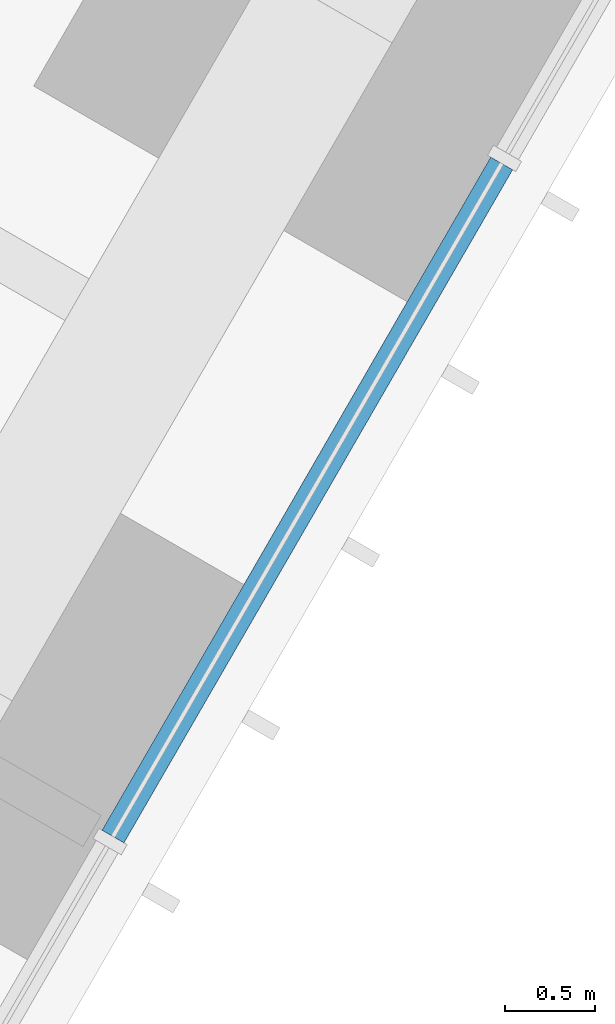
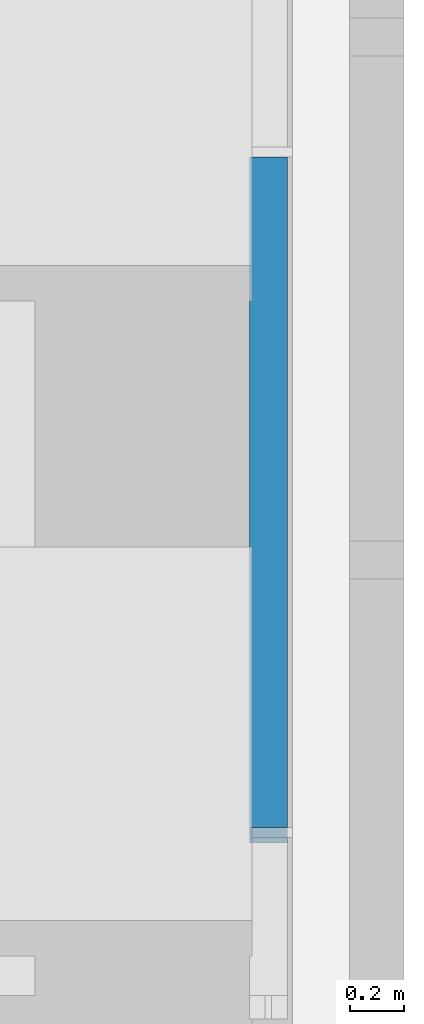
# One storey, part 93 of 256: 1 member, 1 element without a shape of its own.
"""IFC4 building model written with IfcOpenShell, lengths in metres."""

import ifcopenshell
import ifcopenshell.guid

model = None  # the IFC model being written
_history = None  # IfcOwnerHistory: only IFC2X3 demands one
_inside = {}  # id of a spatial element -> (the spatial element, [elements in it])
_under = {}  # id of a project, library or spatial element -> (it, [spatial elements below it])
_declared = {}  # id of a project -> (the project, [libraries it declares])
_typed = {}  # id of a type object -> (the type object, [elements of that type])
_made_of = {}  # id of a material, layer set ... -> (it, [elements and type objects made of it])


def new_model(schema):
    """Start an empty IFC model of exactly this schema.

    Asked for "IFC4X3", IfcOpenShell would pick the latest addendum, in which some entities
    have other attributes; the version numbers below select the first issue.
    IFC2X3 requires an IfcOwnerHistory on every rooted entity: one is made here for all.
    """
    global model, _history
    if schema == "IFC4X3":
        model = ifcopenshell.file(schema_version=(4, 3, 0, 0))
    else:
        model = ifcopenshell.file(schema=schema)
    _inside.clear()
    _under.clear()
    _declared.clear()
    _typed.clear()
    _made_of.clear()
    _history = None
    if model.schema == "IFC2X3":
        org = make("IfcOrganization", Name="unknown")
        user = make(
            "IfcPersonAndOrganization",
            ThePerson=make("IfcPerson", FamilyName="unknown"),
            TheOrganization=org,
        )
        app = make(
            "IfcApplication",
            ApplicationDeveloper=org,
            Version="unknown",
            ApplicationFullName="unknown",
            ApplicationIdentifier="unknown",
        )
        _history = make(
            "IfcOwnerHistory",
            OwningUser=user,
            OwningApplication=app,
            ChangeAction="ADDED",
            CreationDate=0,
        )
    return model


def make(cls, **values):
    """One entity of the class cls with the attributes given. An attribute that is None is left unset."""
    return model.create_entity(
        cls, **{name: value for name, value in values.items() if value is not None}
    )


def rooted(cls, **values):
    """An entity with a GlobalId (a new one), such as an element, a storey or a relation."""
    return make(cls, GlobalId=ifcopenshell.guid.new(), OwnerHistory=_history, **values)


def si_unit(unit_type, name, prefix=None):
    """IfcSIUnit, for example si_unit("LENGTHUNIT", "METRE", prefix="MILLI")."""
    return make("IfcSIUnit", UnitType=unit_type, Prefix=prefix, Name=name)


def assignment(units):
    """IfcUnitAssignment: the units of a project."""
    return None if units is None else make("IfcUnitAssignment", Units=units)


def point(xyz):
    """IfcCartesianPoint."""
    return None if xyz is None else make("IfcCartesianPoint", Coordinates=xyz)


def direction(xyz):
    """IfcDirection."""
    return None if xyz is None else make("IfcDirection", DirectionRatios=xyz)


def frame(location, z_axis=None, x_axis=None):
    """IfcAxis2Placement3D, a coordinate frame: its origin and axes. An axis left out is left unset."""
    return make(
        "IfcAxis2Placement3D",
        Location=point(location),
        Axis=direction(z_axis),
        RefDirection=direction(x_axis),
    )


def frame_2d(location, x_axis=None):
    """IfcAxis2Placement2D, a coordinate frame in the plane: its origin and x axis."""
    return make(
        "IfcAxis2Placement2D", Location=point(location), RefDirection=direction(x_axis)
    )


def origin():
    """The frame at (0, 0, 0) with its axes left unset."""
    return frame((0.0, 0.0, 0.0))


def origin_2d():
    """The frame at (0, 0) in the plane with its x axis left unset."""
    return frame_2d((0.0, 0.0))


def place(relative_to, where):
    """IfcLocalPlacement: puts the frame where relative to a parent placement (None: the world)."""
    return make(
        "IfcLocalPlacement", PlacementRelTo=relative_to, RelativePlacement=where
    )


def context(
    kind, dimensions, precision=None, world=None, true_north=None, identifier=None
):
    """IfcGeometricRepresentationContext, for example the 3D "Model" context."""
    return make(
        "IfcGeometricRepresentationContext",
        ContextIdentifier=identifier,
        ContextType=kind,
        CoordinateSpaceDimension=dimensions,
        Precision=precision,
        WorldCoordinateSystem=world,
        TrueNorth=true_north,
    )


def subcontext(parent, identifier, kind, view, scale=None):
    """IfcGeometricRepresentationSubContext, for example "Body" below "Model"."""
    return make(
        "IfcGeometricRepresentationSubContext",
        ContextIdentifier=identifier,
        ContextType=kind,
        ParentContext=parent,
        TargetScale=scale,
        TargetView=view,
    )


def project(units=None, contexts=None):
    """IfcProject with its units and contexts."""
    return rooted(
        "IfcProject",
        Name="project",
        RepresentationContexts=contexts,
        UnitsInContext=assignment(units),
    )


def spatial(cls, under=None, at=None, **own):
    """A site, building, storey or space (cls), placed at a placement, below another one or the project."""
    s = rooted(cls, ObjectPlacement=at, **own)
    if under is not None:
        _under.setdefault(under.id(), (under, []))[1].append(s)
    return s


def profile(cls, at=None, kind="AREA", **sizes):
    """A parametric profile (cls). Its sizes go by their IFC names, for example OverallWidth=200.0."""
    return make(cls, ProfileType=kind, Position=at, **sizes)


def rectangle(**sizes):
    """IfcRectangleProfileDef."""
    return profile("IfcRectangleProfileDef", **sizes)


def extrude(swept, where, along, depth):
    """IfcExtrudedAreaSolid: the profile swept, set in the frame where, extruded along a direction by depth."""
    return make(
        "IfcExtrudedAreaSolid",
        SweptArea=swept,
        Position=where,
        ExtrudedDirection=direction(along),
        Depth=depth,
    )


def shape(context_of_items, identifier, shape_type, items):
    """IfcShapeRepresentation: the items that make up one representation, for example the "Body"."""
    return make(
        "IfcShapeRepresentation",
        ContextOfItems=context_of_items,
        RepresentationIdentifier=identifier,
        RepresentationType=shape_type,
        Items=items,
    )


def material(Name=None, Category=None):
    """IfcMaterial."""
    return make("IfcMaterial", Name=Name, Category=Category)


def material_profile(
    of_material, cross_section, Name=None, Category=None, Priority=None
):
    """IfcMaterialProfile: a cross section and its material."""
    return make(
        "IfcMaterialProfile",
        Name=Name,
        Material=of_material,
        Profile=cross_section,
        Priority=Priority,
        Category=Category,
    )


def profile_set(profiles, Name=None, composite=None):
    """IfcMaterialProfileSet."""
    return make(
        "IfcMaterialProfileSet",
        Name=Name,
        MaterialProfiles=profiles,
        CompositeProfile=composite,
    )


def made_of(thing, what):
    """Note that an element or type object is made of a material, layer set ...; save() writes the relation."""
    if what is not None:
        _made_of.setdefault(what.id(), (what, []))[1].append(thing)
    return thing


def type_object(cls, material=None, **own):
    """A type object (cls), such as IfcWallType, which elements share."""
    return made_of(rooted(cls, **own), material)


def element(
    cls,
    number,
    at=None,
    inside=None,
    cuts=None,
    type_object=None,
    material=None,
    context=None,
    identifier="Body",
    shape_type=None,
    held_by="IfcProductDefinitionShape",
    body=None,
    shapes=None,
    **own,
):
    """One element of the class cls, such as IfcWall. Its Tag is "e" and its number.

    at: its placement. inside: the storey or other place that contains it. cuts: it is an
    opening in that element (IfcRelVoidsElement). A single representation is given by context,
    identifier, shape_type and body (its items); several are given by shapes. held_by: the class
    of the entity that holds the representations. save() writes the other relations.
    """
    e = rooted(cls, Tag="e%d" % number, ObjectPlacement=at, **own)
    if body is not None:
        shapes = [shape(context, identifier, shape_type, body)]
    if shapes is not None:
        e.Representation = make(held_by, Representations=shapes)
    if inside is not None:
        _inside.setdefault(inside.id(), (inside, []))[1].append(e)
    if cuts is not None:
        rooted(
            "IfcRelVoidsElement", RelatingBuildingElement=cuts, RelatedOpeningElement=e
        )
    if type_object is not None:
        _typed.setdefault(type_object.id(), (type_object, []))[1].append(e)
    return made_of(e, material)


def aggregate(whole, parts):
    """IfcRelAggregates: a whole, such as a stair, and the parts it consists of."""
    return rooted("IfcRelAggregates", RelatingObject=whole, RelatedObjects=parts)


def save(model, path):
    """Write the relations noted so far, then the file.

    IfcRelAggregates (storeys below a building ...), IfcRelContainedInSpatialStructure (elements
    in a storey), IfcRelDefinesByType, IfcRelAssociatesMaterial and IfcRelDeclares: one each for
    every whole, place, type object, material and project.
    """
    for whole, parts in _under.values():
        aggregate(whole, parts)
    for where, things in _inside.values():
        rooted(
            "IfcRelContainedInSpatialStructure",
            RelatedElements=things,
            RelatingStructure=where,
        )
    for kind, things in _typed.values():
        rooted("IfcRelDefinesByType", RelatedObjects=things, RelatingType=kind)
    for what, things in _made_of.values():
        rooted("IfcRelAssociatesMaterial", RelatedObjects=things, RelatingMaterial=what)
    for by, libraries in _declared.values():
        rooted("IfcRelDeclares", RelatingContext=by, RelatedDefinitions=libraries)
    model.write(path)


model = new_model("IFC4")

# Units and contexts
model_context = context("Model", 3, precision=1e-05, world=origin(), true_north=direction((0.0, 1.0)))
body_context = subcontext(model_context, "Body", "Model", "MODEL_VIEW")
ifc_project = project(units=[si_unit("LENGTHUNIT", "METRE"), si_unit("AREAUNIT", "SQUARE_METRE"), si_unit("VOLUMEUNIT", "CUBIC_METRE"), si_unit("PLANEANGLEUNIT", "RADIAN"), si_unit("MASSUNIT", "GRAM", prefix="KILO")], contexts=[model_context])

# Site, building, storey
site_placement = place(None, origin())
site = spatial("IfcSite", under=ifc_project, at=site_placement, CompositionType="ELEMENT")
building_placement = place(site_placement, origin())
building = spatial("IfcBuilding", under=site, at=building_placement, Name="Sandreach Pilgrim Tower", CompositionType="ELEMENT")
storey_placement = place(building_placement, frame((0.0, 0.0, 23.0)))
storey = spatial("IfcBuildingStorey", under=building, at=storey_placement, Name="L04", CompositionType="ELEMENT", Elevation=23.0)

# Curtain wall, member
ifc_material_1 = material(Name="Aluminium framed curtain wall", Category="aluminium")
curtain_wall_type = type_object("IfcCurtainWallType", Name="Hostel tower curtain wall", PredefinedType="NOTDEFINED", material=ifc_material_1)
curtain_wall_placement = place(storey_placement, origin())
curtain_wall = element("IfcCurtainWall", 1, at=curtain_wall_placement, inside=storey, type_object=curtain_wall_type, Name="CW-1 L04 SE", PredefinedType="NOTDEFINED")
ifc_material_2 = material(Name="Aluminium extrusion", Category="aluminium")
ifc_material_profile = material_profile(ifc_material_2, rectangle(XDim=0.139892578125, YDim=0.070068359375, at=origin_2d()), Name="CW-1T 140X70")
ifc_profile_set = profile_set([ifc_material_profile], Name="Aluminium extrusion")
member_type = type_object("IfcMemberType", Name="CW-1 transom", PredefinedType="USERDEFINED", material=ifc_profile_set)
member_placement = place(storey_placement, frame((17.4453125, -17.681396484375, 3.60498046875), z_axis=(-0.500016891966, -0.866015650984, 0.0), x_axis=(0.866015650984, -0.500016891966, 0.0)))
member = element("IfcMember", 2, at=member_placement, type_object=member_type, Name="CW-1 head transom 7", ObjectType="TRANSOM", PredefinedType="USERDEFINED", context=body_context, shape_type="SweptSolid", body=[
    extrude(rectangle(XDim=0.139892578125, YDim=0.070068359375, at=origin_2d()), origin(), (0.0, 0.0, 1.0), 4.306396484375),
])
aggregate(curtain_wall, [member])

save(model, "model.ifc")
